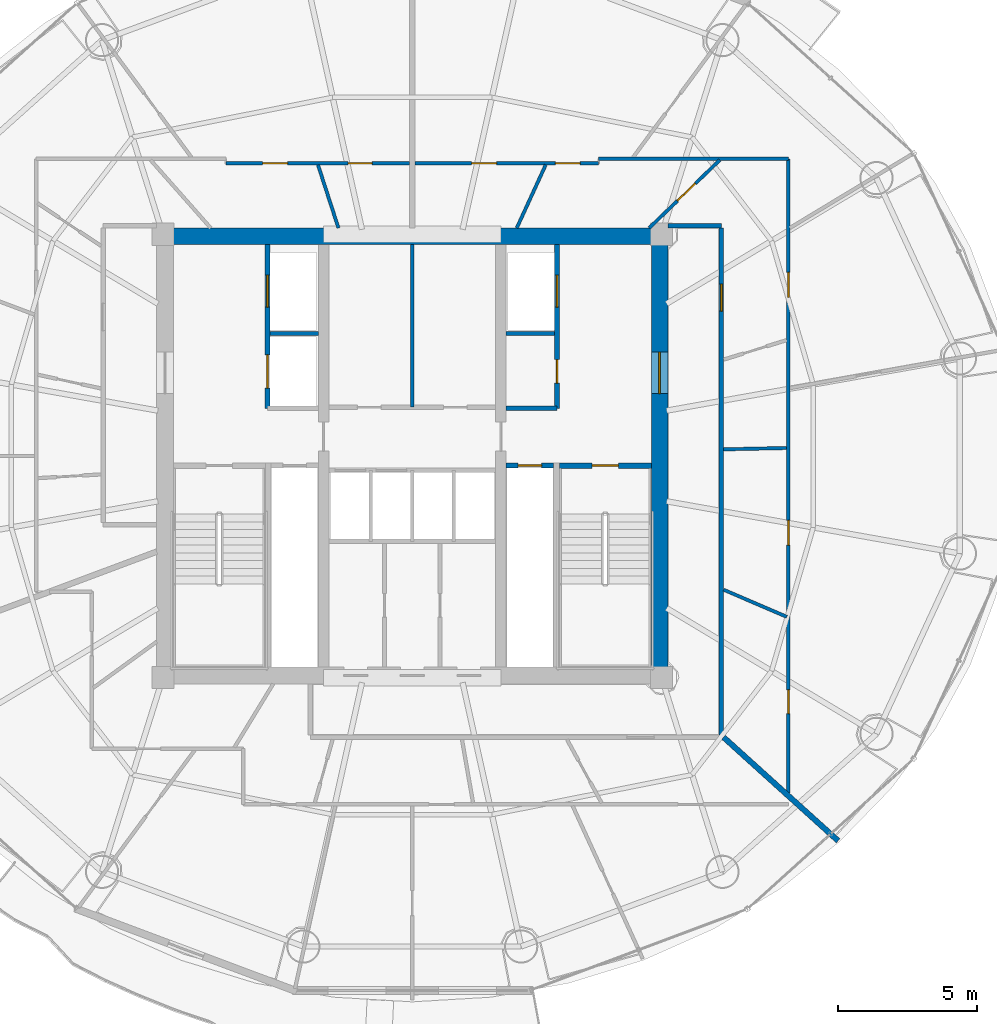
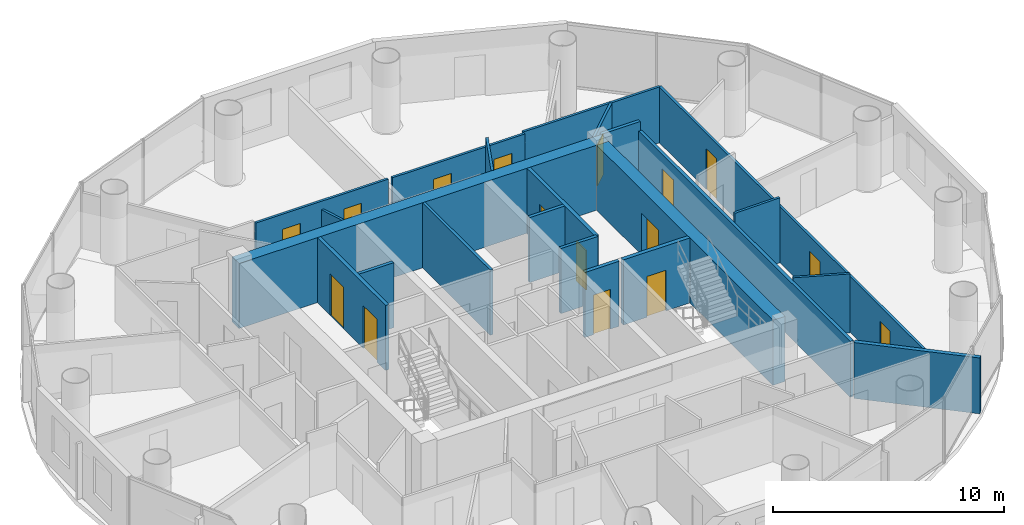
# One storey, part 22 of 26: 22 walls, 16 doors, 16 openings.
"""IFC4 building model written with IfcOpenShell, lengths in metres."""

import ifcopenshell
import ifcopenshell.guid

model = None  # the IFC model being written
_history = None  # IfcOwnerHistory: only IFC2X3 demands one
_inside = {}  # id of a spatial element -> (the spatial element, [elements in it])
_under = {}  # id of a project, library or spatial element -> (it, [spatial elements below it])
_declared = {}  # id of a project -> (the project, [libraries it declares])
_typed = {}  # id of a type object -> (the type object, [elements of that type])
_made_of = {}  # id of a material, layer set ... -> (it, [elements and type objects made of it])


def new_model(schema):
    """Start an empty IFC model of exactly this schema.

    Asked for "IFC4X3", IfcOpenShell would pick the latest addendum, in which some entities
    have other attributes; the version numbers below select the first issue.
    IFC2X3 requires an IfcOwnerHistory on every rooted entity: one is made here for all.
    """
    global model, _history
    if schema == "IFC4X3":
        model = ifcopenshell.file(schema_version=(4, 3, 0, 0))
    else:
        model = ifcopenshell.file(schema=schema)
    _inside.clear()
    _under.clear()
    _declared.clear()
    _typed.clear()
    _made_of.clear()
    _history = None
    if model.schema == "IFC2X3":
        org = make("IfcOrganization", Name="unknown")
        user = make(
            "IfcPersonAndOrganization",
            ThePerson=make("IfcPerson", FamilyName="unknown"),
            TheOrganization=org,
        )
        app = make(
            "IfcApplication",
            ApplicationDeveloper=org,
            Version="unknown",
            ApplicationFullName="unknown",
            ApplicationIdentifier="unknown",
        )
        _history = make(
            "IfcOwnerHistory",
            OwningUser=user,
            OwningApplication=app,
            ChangeAction="ADDED",
            CreationDate=0,
        )
    return model


def make(cls, **values):
    """One entity of the class cls with the attributes given. An attribute that is None is left unset."""
    return model.create_entity(
        cls, **{name: value for name, value in values.items() if value is not None}
    )


def rooted(cls, **values):
    """An entity with a GlobalId (a new one), such as an element, a storey or a relation."""
    return make(cls, GlobalId=ifcopenshell.guid.new(), OwnerHistory=_history, **values)


def si_unit(unit_type, name, prefix=None):
    """IfcSIUnit, for example si_unit("LENGTHUNIT", "METRE", prefix="MILLI")."""
    return make("IfcSIUnit", UnitType=unit_type, Prefix=prefix, Name=name)


def assignment(units):
    """IfcUnitAssignment: the units of a project."""
    return None if units is None else make("IfcUnitAssignment", Units=units)


def point(xyz):
    """IfcCartesianPoint."""
    return None if xyz is None else make("IfcCartesianPoint", Coordinates=xyz)


def direction(xyz):
    """IfcDirection."""
    return None if xyz is None else make("IfcDirection", DirectionRatios=xyz)


def frame(location, z_axis=None, x_axis=None):
    """IfcAxis2Placement3D, a coordinate frame: its origin and axes. An axis left out is left unset."""
    return make(
        "IfcAxis2Placement3D",
        Location=point(location),
        Axis=direction(z_axis),
        RefDirection=direction(x_axis),
    )


def frame_2d(location, x_axis=None):
    """IfcAxis2Placement2D, a coordinate frame in the plane: its origin and x axis."""
    return make(
        "IfcAxis2Placement2D", Location=point(location), RefDirection=direction(x_axis)
    )


def origin():
    """The frame at (0, 0, 0) with its axes left unset."""
    return frame((0.0, 0.0, 0.0))


def place(relative_to, where):
    """IfcLocalPlacement: puts the frame where relative to a parent placement (None: the world)."""
    return make(
        "IfcLocalPlacement", PlacementRelTo=relative_to, RelativePlacement=where
    )


def context(
    kind, dimensions, precision=None, world=None, true_north=None, identifier=None
):
    """IfcGeometricRepresentationContext, for example the 3D "Model" context."""
    return make(
        "IfcGeometricRepresentationContext",
        ContextIdentifier=identifier,
        ContextType=kind,
        CoordinateSpaceDimension=dimensions,
        Precision=precision,
        WorldCoordinateSystem=world,
        TrueNorth=true_north,
    )


def subcontext(parent, identifier, kind, view, scale=None):
    """IfcGeometricRepresentationSubContext, for example "Body" below "Model"."""
    return make(
        "IfcGeometricRepresentationSubContext",
        ContextIdentifier=identifier,
        ContextType=kind,
        ParentContext=parent,
        TargetScale=scale,
        TargetView=view,
    )


def project(units=None, contexts=None):
    """IfcProject with its units and contexts."""
    return rooted(
        "IfcProject",
        Name="project",
        RepresentationContexts=contexts,
        UnitsInContext=assignment(units),
    )


def spatial(cls, under=None, at=None, **own):
    """A site, building, storey or space (cls), placed at a placement, below another one or the project."""
    s = rooted(cls, ObjectPlacement=at, **own)
    if under is not None:
        _under.setdefault(under.id(), (under, []))[1].append(s)
    return s


def profile(cls, at=None, kind="AREA", **sizes):
    """A parametric profile (cls). Its sizes go by their IFC names, for example OverallWidth=200.0."""
    return make(cls, ProfileType=kind, Position=at, **sizes)


def rectangle(**sizes):
    """IfcRectangleProfileDef."""
    return profile("IfcRectangleProfileDef", **sizes)


def extrude(swept, where, along, depth):
    """IfcExtrudedAreaSolid: the profile swept, set in the frame where, extruded along a direction by depth."""
    return make(
        "IfcExtrudedAreaSolid",
        SweptArea=swept,
        Position=where,
        ExtrudedDirection=direction(along),
        Depth=depth,
    )


def shape(context_of_items, identifier, shape_type, items):
    """IfcShapeRepresentation: the items that make up one representation, for example the "Body"."""
    return make(
        "IfcShapeRepresentation",
        ContextOfItems=context_of_items,
        RepresentationIdentifier=identifier,
        RepresentationType=shape_type,
        Items=items,
    )


def source(mapping_origin, context_of_items, identifier, shape_type, items):
    """IfcRepresentationMap: a shape defined once, which mapped items show again and again."""
    return make(
        "IfcRepresentationMap",
        MappingOrigin=mapping_origin,
        MappedRepresentation=shape(context_of_items, identifier, shape_type, items),
    )


def transform(
    local_origin,
    x_axis=None,
    y_axis=None,
    z_axis=None,
    scale=None,
    scale2=None,
    scale3=None,
    uniform=True,
):
    """IfcCartesianTransformationOperator3D, or its non-uniform kind. x_axis, y_axis, z_axis: its Axis1, 2, 3."""
    if uniform:
        return make(
            "IfcCartesianTransformationOperator3D",
            Axis1=direction(x_axis),
            Axis2=direction(y_axis),
            LocalOrigin=point(local_origin),
            Scale=scale,
            Axis3=direction(z_axis),
        )
    return make(
        "IfcCartesianTransformationOperator3DnonUniform",
        Axis1=direction(x_axis),
        Axis2=direction(y_axis),
        LocalOrigin=point(local_origin),
        Scale=scale,
        Axis3=direction(z_axis),
        Scale2=scale2,
        Scale3=scale3,
    )


def mapped(mapping_source, mapping_target):
    """IfcMappedItem: shows the shape of a source again, moved by a transform."""
    return make(
        "IfcMappedItem", MappingSource=mapping_source, MappingTarget=mapping_target
    )


def material(Name=None, Category=None):
    """IfcMaterial."""
    return make("IfcMaterial", Name=Name, Category=Category)


def layer(
    of_material, thickness, ventilated=None, Name=None, Category=None, Priority=None
):
    """IfcMaterialLayer: one layer of a wall or slab, of a material (None: an air gap)."""
    return make(
        "IfcMaterialLayer",
        Material=of_material,
        LayerThickness=thickness,
        IsVentilated=ventilated,
        Name=Name,
        Category=Category,
        Priority=Priority,
    )


def layer_set(layers, Name=None):
    """IfcMaterialLayerSet."""
    return make("IfcMaterialLayerSet", MaterialLayers=layers, LayerSetName=Name)


def made_of(thing, what):
    """Note that an element or type object is made of a material, layer set ...; save() writes the relation."""
    if what is not None:
        _made_of.setdefault(what.id(), (what, []))[1].append(thing)
    return thing


def type_object(cls, material=None, **own):
    """A type object (cls), such as IfcWallType, which elements share."""
    return made_of(rooted(cls, **own), material)


def element(
    cls,
    number,
    at=None,
    inside=None,
    cuts=None,
    type_object=None,
    material=None,
    context=None,
    identifier="Body",
    shape_type=None,
    held_by="IfcProductDefinitionShape",
    body=None,
    shapes=None,
    **own,
):
    """One element of the class cls, such as IfcWall. Its Tag is "e" and its number.

    at: its placement. inside: the storey or other place that contains it. cuts: it is an
    opening in that element (IfcRelVoidsElement). A single representation is given by context,
    identifier, shape_type and body (its items); several are given by shapes. held_by: the class
    of the entity that holds the representations. save() writes the other relations.
    """
    e = rooted(cls, Tag="e%d" % number, ObjectPlacement=at, **own)
    if body is not None:
        shapes = [shape(context, identifier, shape_type, body)]
    if shapes is not None:
        e.Representation = make(held_by, Representations=shapes)
    if inside is not None:
        _inside.setdefault(inside.id(), (inside, []))[1].append(e)
    if cuts is not None:
        rooted(
            "IfcRelVoidsElement", RelatingBuildingElement=cuts, RelatedOpeningElement=e
        )
    if type_object is not None:
        _typed.setdefault(type_object.id(), (type_object, []))[1].append(e)
    return made_of(e, material)


def fill(opening, filler):
    """IfcRelFillsElement: the door or window that sits in an opening."""
    return rooted(
        "IfcRelFillsElement",
        RelatingOpeningElement=opening,
        RelatedBuildingElement=filler,
    )


def aggregate(whole, parts):
    """IfcRelAggregates: a whole, such as a stair, and the parts it consists of."""
    return rooted("IfcRelAggregates", RelatingObject=whole, RelatedObjects=parts)


def save(model, path):
    """Write the relations noted so far, then the file.

    IfcRelAggregates (storeys below a building ...), IfcRelContainedInSpatialStructure (elements
    in a storey), IfcRelDefinesByType, IfcRelAssociatesMaterial and IfcRelDeclares: one each for
    every whole, place, type object, material and project.
    """
    for whole, parts in _under.values():
        aggregate(whole, parts)
    for where, things in _inside.values():
        rooted(
            "IfcRelContainedInSpatialStructure",
            RelatedElements=things,
            RelatingStructure=where,
        )
    for kind, things in _typed.values():
        rooted("IfcRelDefinesByType", RelatedObjects=things, RelatingType=kind)
    for what, things in _made_of.values():
        rooted("IfcRelAssociatesMaterial", RelatedObjects=things, RelatingMaterial=what)
    for by, libraries in _declared.values():
        rooted("IfcRelDeclares", RelatingContext=by, RelatedDefinitions=libraries)
    model.write(path)


model = new_model("IFC4")

# Units and contexts
model_context = context("Model", 3, precision=1e-05, world=origin(), true_north=direction((-0.2419218956, 0.970295726276)))
body_context = subcontext(model_context, "Body", "Model", "MODEL_VIEW")
ifc_project = project(units=[si_unit("LENGTHUNIT", "METRE"), si_unit("AREAUNIT", "SQUARE_METRE"), si_unit("VOLUMEUNIT", "CUBIC_METRE"), si_unit("PLANEANGLEUNIT", "RADIAN"), si_unit("MASSUNIT", "GRAM", prefix="KILO")], contexts=[model_context])

# Site, building, storey
site_placement = place(None, origin())
site = spatial("IfcSite", under=ifc_project, at=site_placement, CompositionType="ELEMENT")
building_placement = place(site_placement, origin())
building = spatial("IfcBuilding", under=site, at=building_placement, Name="Cobrevalo Terracotta Tower", CompositionType="ELEMENT")
storey_placement = place(building_placement, frame((0.0, 0.0, 202.300048828125)))
storey = spatial("IfcBuildingStorey", under=building, at=storey_placement, Name="L53", CompositionType="ELEMENT", Elevation=202.300048828125)

# Wall
ifc_material_1 = material(Name="Concrete C55", Category="concrete")
ifc_layer_1 = layer(ifc_material_1, 0.60009765625)
ifc_layer_set_1 = layer_set([ifc_layer_1], Name="Concrete C55")
wall_type_1 = type_object("IfcWallType", Name="Core shear wall 600 mm Concrete C55", PredefinedType="SHEAR", material=ifc_layer_set_1)
wall_1_placement = place(storey_placement, frame((28.77490234375, 34.72509765625, 0.0), z_axis=(0.0, 0.0, 1.0), x_axis=(1.0, 0.0, 0.0)))
element("IfcWall", 1, at=wall_1_placement, inside=storey, type_object=wall_type_1, Name="L53 north core shear wall", PredefinedType="SHEAR", context=body_context, shape_type="SweptSolid", body=[
    extrude(rectangle(XDim=18.4501953125, YDim=0.60009765625, at=frame_2d((9.22509765625, 0.0))), origin(), (0.0, 0.0, 1.0), 3.43505859375),
])

# Wall, opening, door
wall_2_placement = place(storey_placement, frame((46.925048828125, 19.175048828125, 0.0), z_axis=(0.0, 0.0, 1.0), x_axis=(0.0, 1.0, 0.0)))
wall_2 = element("IfcWall", 2, at=wall_2_placement, inside=storey, type_object=wall_type_1, Name="L53 east core shear wall", PredefinedType="SHEAR", context=body_context, shape_type="SweptSolid", body=[
    extrude(rectangle(XDim=15.25, YDim=0.60009765625, at=frame_2d((7.625, 0.0))), origin(), (0.0, 0.0, 1.0), 3.43505859375),
])
opening_1_placement = place(wall_2_placement, frame((9.875, 0.0, 0.0)))
opening_1 = element("IfcOpeningElement", 3, at=opening_1_placement, cuts=wall_2, Name="Opening ID-14", PredefinedType="OPENING", context=body_context, shape_type="SweptSolid", body=[
    extrude(rectangle(XDim=1.5, YDim=2.199951171875, at=frame_2d((0.75, 1.10009765625))), frame((0.0, 0.31005859375, 0.0), z_axis=(0.0, -1.0, 0.0), x_axis=(1.0, 0.0, 0.0)), (0.0, 0.0, 1.0), 0.6201171875),
])
ifc_material_2 = material(Name="Galvanized fire-rated steel", Category="steel")
door_type_1 = type_object("IfcDoorType", Name="Core cross-lobby double fire door 1500x2200 EI 90", OperationType="NOTDEFINED", PredefinedType="DOOR", material=ifc_material_2)
shared_shape_1 = source(origin(), body_context, "Body", "SweptSolid", [
    extrude(rectangle(XDim=1.5, YDim=2.199951171875, at=frame_2d((0.75, 1.10009765625))), frame((0.0, 0.02490234375, 0.0), z_axis=(0.0, -1.0, 0.0), x_axis=(1.0, 0.0, 0.0)), (0.0, 0.0, 1.0), 0.050048828125),
])
door_1_placement = place(opening_1_placement, frame((1.5, 0.0, 0.0), z_axis=(0.0, 0.0, 1.0), x_axis=(-1.0, 0.0, 0.0)))
door_1 = element("IfcDoor", 4, at=door_1_placement, inside=storey, type_object=door_type_1, Name="L53 east firefighting lobby entrance door", OperationType="DOUBLE_DOOR_SINGLE_SWING", OverallHeight=2.199951171875, OverallWidth=1.5, PredefinedType="DOOR", context=body_context, shape_type="MappedRepresentation", body=[
    mapped(shared_shape_1, transform((0.0, 0.0, 0.0), scale=1.0)),
])
fill(opening_1, door_1)

# Walls
ifc_material_3 = material(Name="Gypsum board on steel stud", Category="steel")
ifc_layer_2 = layer(ifc_material_3, 0.159912109375)
ifc_layer_set_2 = layer_set([ifc_layer_2], Name="Gypsum board on steel stud")
wall_type_2 = type_object("IfcWallType", Name="Fire-rated corridor acoustic partition wall 160 mm", PredefinedType="PARTITIONING", material=ifc_layer_set_2)
for number, where, z_axis, x_axis, name in (
    (5, (32.860107421875, 31.219970703125, 0.0), (0.0, 0.0, 1.0), (1.0, 0.0, 0.0), "L53 interior partition IW-L53-FF1-M"),
    (6, (41.389892578125, 31.219970703125, 0.0), (0.0, 0.0, 1.0), (1.0, 0.0, 0.0), "L53 interior partition IW-L53-FF2-M"),
):
    element("IfcWall", number, at=place(storey_placement, frame(where, z_axis=z_axis, x_axis=x_axis)), inside=storey, type_object=wall_type_2, Name=name, PredefinedType="PARTITIONING", context=body_context, shape_type="SweptSolid", body=[
        extrude(rectangle(XDim=1.75, YDim=0.159912109375, at=frame_2d((0.875, 0.0))), origin(), (0.0, 0.0, 1.0), 3.43505859375),
    ])
wall_3_placement = place(storey_placement, frame((41.389892578125, 28.52001953125, 0.0), z_axis=(0.0, 0.0, 1.0), x_axis=(1.0, 0.0, 0.0)))
element("IfcWall", 7, at=wall_3_placement, inside=storey, type_object=wall_type_2, Name="L53 interior partition IW-L53-FF2-S", PredefinedType="PARTITIONING", context=body_context, shape_type="SweptSolid", body=[
    extrude(rectangle(XDim=1.840087890625, YDim=0.159912109375, at=frame_2d((0.919921875, 0.0))), origin(), (0.0, 0.0, 1.0), 3.43505859375),
])

# Wall, opening, door
wall_4_placement = place(storey_placement, frame((49.155029296875, 16.72509765625, 0.0), z_axis=(0.0, 0.0, 1.0), x_axis=(0.0, 1.0, 0.0)))
wall_4 = element("IfcWall", 8, at=wall_4_placement, inside=storey, type_object=wall_type_2, Name="L53 interior partition IW-L53-COR-E", PredefinedType="PARTITIONING", context=body_context, shape_type="SweptSolid", body=[
    extrude(rectangle(XDim=18.2998046875, YDim=0.159912109375, at=frame_2d((9.14990234375, 0.0))), origin(), (0.0, 0.0, 1.0), 2.950927734375),
])
opening_2_placement = place(wall_4_placement, frame((15.301513671875, 0.0, 0.0)))
opening_2 = element("IfcOpeningElement", 9, at=opening_2_placement, cuts=wall_4, Name="Opening ID-05", PredefinedType="OPENING", context=body_context, shape_type="SweptSolid", body=[
    extrude(rectangle(XDim=0.97998046875, YDim=2.199951171875, at=frame_2d((0.489990234375, 1.10009765625))), frame((0.0, 0.08984375, 0.0), z_axis=(0.0, -1.0, 0.0), x_axis=(1.0, 0.0, 0.0)), (0.0, 0.0, 1.0), 0.179931640625),
])
ifc_material_4 = material(Name="Solid hardwood timber", Category="wood")
door_type_2 = type_object("IfcDoorType", Name="Residence entrance fire-rated acoustic timber door 980x2200 EI 60", OperationType="NOTDEFINED", PredefinedType="DOOR", material=ifc_material_4)
shared_shape_2 = source(origin(), body_context, "Body", "SweptSolid", [
    extrude(rectangle(XDim=0.97998046875, YDim=2.199951171875, at=frame_2d((0.489990234375, 1.10009765625))), frame((0.0, 0.02490234375, 0.0), z_axis=(0.0, -1.0, 0.0), x_axis=(1.0, 0.0, 0.0)), (0.0, 0.0, 1.0), 0.050048828125),
])
door_2_placement = place(opening_2_placement, frame((0.97998046875, 0.0, 0.0), z_axis=(0.0, 0.0, 1.0), x_axis=(-1.0, 0.0, 0.0)))
door_2 = element("IfcDoor", 10, at=door_2_placement, inside=storey, type_object=door_type_2, Name="Flat L53C fire-rated apartment entrance door", OperationType="SINGLE_SWING_LEFT", OverallHeight=2.199951171875, OverallWidth=0.97998046875, PredefinedType="DOOR", context=body_context, shape_type="MappedRepresentation", body=[
    mapped(shared_shape_2, transform((0.0, 0.0, 0.0), scale=1.0)),
])
fill(opening_2, door_2)

# Wall
wall_5_placement = place(storey_placement, frame((47.22509765625, 35.10498046875, 0.0), z_axis=(0.0, 0.0, 1.0), x_axis=(1.0, 0.0, 0.0)))
element("IfcWall", 11, at=wall_5_placement, inside=storey, type_object=wall_type_2, Name="L53 interior partition IW-L53-COR-EN-CAP", PredefinedType="PARTITIONING", context=body_context, shape_type="SweptSolid", body=[
    extrude(rectangle(XDim=1.929931640625, YDim=0.159912109375, at=frame_2d((0.96484375, 0.0))), origin(), (0.0, 0.0, 1.0), 3.43505859375),
])

# Wall, opening, door
ifc_layer_3 = layer(ifc_material_3, 0.179931640625)
ifc_layer_set_3 = layer_set([ifc_layer_3], Name="Gypsum board on steel stud")
wall_type_3 = type_object("IfcWallType", Name="Fire-rated shaft & lobby acoustic partition wall 180 mm", PredefinedType="PARTITIONING", material=ifc_layer_set_3)
wall_6_placement = place(storey_placement, frame((41.389892578125, 26.449951171875, 0.0), z_axis=(0.0, 0.0, 1.0), x_axis=(1.0, 0.0, 0.0)))
wall_6 = element("IfcWall", 12, at=wall_6_placement, inside=storey, type_object=wall_type_3, Name="L53 interior partition IW-L53-RSE-N", PredefinedType="PARTITIONING", context=body_context, shape_type="SweptSolid", body=[
    extrude(rectangle(XDim=1.710205078125, YDim=0.179931640625, at=frame_2d((0.85498046875, 0.0))), origin(), (0.0, 0.0, 1.0), 3.43505859375),
])
opening_3_placement = place(wall_6_placement, frame((0.429931640625, 0.0, 0.0)))
opening_3 = element("IfcOpeningElement", 13, at=opening_3_placement, cuts=wall_6, Name="Opening ID-22", PredefinedType="OPENING", context=body_context, shape_type="SweptSolid", body=[
    extrude(rectangle(XDim=0.85009765625, YDim=2.10009765625, at=frame_2d((0.425048828125, 1.050048828125))), frame((0.0, 0.10009765625, 0.0), z_axis=(0.0, -1.0, 0.0), x_axis=(1.0, 0.0, 0.0)), (0.0, 0.0, 1.0), 0.199951171875),
])
ifc_material_5 = material(Name="Powder-coated steel", Category="steel")
door_type_3 = type_object("IfcDoorType", Name="Riser shaft & meter closet fire access door 850x2100 EI 60", OperationType="NOTDEFINED", PredefinedType="DOOR", material=ifc_material_5)
shared_shape_3 = source(origin(), body_context, "Body", "SweptSolid", [
    extrude(rectangle(XDim=0.85009765625, YDim=2.10009765625, at=frame_2d((0.425048828125, 1.050048828125))), frame((0.0, 0.02490234375, 0.0), z_axis=(0.0, -1.0, 0.0), x_axis=(1.0, 0.0, 0.0)), (0.0, 0.0, 1.0), 0.050048828125),
])
door_3_placement = place(opening_3_placement, origin())
door_3 = element("IfcDoor", 14, at=door_3_placement, inside=storey, type_object=door_type_3, Name="L53 riser access door RSE", OperationType="SINGLE_SWING_RIGHT", OverallHeight=2.10009765625, OverallWidth=0.85009765625, PredefinedType="DOOR", context=body_context, shape_type="MappedRepresentation", body=[
    mapped(shared_shape_3, transform((0.0, 0.0, 0.0), scale=1.0)),
])
fill(opening_3, door_3)

# Wall, openings, doors
wall_7_placement = place(storey_placement, frame((32.77001953125, 28.52001953125, 0.0), z_axis=(0.0, 0.0, 1.0), x_axis=(0.0, 1.0, 0.0)))
wall_7 = element("IfcWall", 15, at=wall_7_placement, inside=storey, type_object=wall_type_3, Name="L53 interior partition IW-L53-FF1-W", PredefinedType="PARTITIONING", context=body_context, shape_type="SweptSolid", body=[
    extrude(rectangle(XDim=5.905029296875, YDim=0.179931640625, at=frame_2d((2.95263671875, 0.0))), origin(), (0.0, 0.0, 1.0), 3.43505859375),
])
opening_4_placement = place(wall_7_placement, frame((3.655029296875, 0.0, 0.0)))
opening_4 = element("IfcOpeningElement", 16, at=opening_4_placement, cuts=wall_7, Name="Opening LD-02", PredefinedType="OPENING", context=body_context, shape_type="SweptSolid", body=[
    extrude(rectangle(XDim=1.14990234375, YDim=2.199951171875, at=frame_2d((0.574951171875, 1.10009765625))), frame((0.0, 0.10009765625, 0.0), z_axis=(0.0, -1.0, 0.0), x_axis=(1.0, 0.0, 0.0)), (0.0, 0.0, 1.0), 0.199951171875),
])
opening_5_placement = place(wall_7_placement, frame((0.72998046875, 0.0, 0.0)))
opening_5 = element("IfcOpeningElement", 17, at=opening_5_placement, cuts=wall_7, Name="Opening LD-03", PredefinedType="OPENING", context=body_context, shape_type="SweptSolid", body=[
    extrude(rectangle(XDim=1.199951171875, YDim=2.25, at=frame_2d((0.60009765625, 1.125))), frame((0.0, 0.10009765625, 0.0), z_axis=(0.0, -1.0, 0.0), x_axis=(1.0, 0.0, 0.0)), (0.0, 0.0, 1.0), 0.199951171875),
])
ifc_material_6 = material(Name="Brushed stainless steel", Category="steel")
door_type_4 = type_object("IfcDoorType", Name="Firefighting lift landing bi-parting sliding door 1150x2200 EI 120", OperationType="DOUBLE_DOOR_SLIDING", PredefinedType="DOOR", material=ifc_material_6)
shared_shape_4 = source(origin(), body_context, "Body", "SweptSolid", [
    extrude(rectangle(XDim=1.14990234375, YDim=2.199951171875, at=frame_2d((0.574951171875, 1.10009765625))), frame((0.0, 0.02490234375, 0.0), z_axis=(0.0, -1.0, 0.0), x_axis=(1.0, 0.0, 0.0)), (0.0, 0.0, 1.0), 0.050048828125),
])
door_4_placement = place(opening_4_placement, origin())
door_4 = element("IfcDoor", 18, at=door_4_placement, inside=storey, type_object=door_type_4, Name="L53 lift landing door FF-1", OperationType="DOUBLE_DOOR_SLIDING", OverallHeight=2.199951171875, OverallWidth=1.14990234375, PredefinedType="DOOR", context=body_context, shape_type="MappedRepresentation", body=[
    mapped(shared_shape_4, transform((0.0, 0.0, 0.0), scale=1.0)),
])
fill(opening_4, door_4)
door_type_5 = type_object("IfcDoorType", Name="Service lift landing bi-parting sliding door 1200x2250 EI 120", OperationType="DOUBLE_DOOR_SLIDING", PredefinedType="DOOR", material=ifc_material_6)
shared_shape_5 = source(origin(), body_context, "Body", "SweptSolid", [
    extrude(rectangle(XDim=1.199951171875, YDim=2.25, at=frame_2d((0.60009765625, 1.125))), frame((0.0, 0.02490234375, 0.0), z_axis=(0.0, -1.0, 0.0), x_axis=(1.0, 0.0, 0.0)), (0.0, 0.0, 1.0), 0.050048828125),
])
door_5_placement = place(opening_5_placement, origin())
door_5 = element("IfcDoor", 19, at=door_5_placement, inside=storey, type_object=door_type_5, Name="L53 lift landing door SV-1", OperationType="DOUBLE_DOOR_SLIDING", OverallHeight=2.25, OverallWidth=1.199951171875, PredefinedType="DOOR", context=body_context, shape_type="MappedRepresentation", body=[
    mapped(shared_shape_5, transform((0.0, 0.0, 0.0), scale=1.0)),
])
fill(opening_5, door_5)

wall_8_placement = place(storey_placement, frame((43.22998046875, 28.52001953125, 0.0), z_axis=(0.0, 0.0, 1.0), x_axis=(0.0, 1.0, 0.0)))
wall_8 = element("IfcWall", 20, at=wall_8_placement, inside=storey, type_object=wall_type_3, Name="L53 interior partition IW-L53-FF2-E", PredefinedType="PARTITIONING", context=body_context, shape_type="SweptSolid", body=[
    extrude(rectangle(XDim=5.905029296875, YDim=0.179931640625, at=frame_2d((2.95263671875, 0.0))), origin(), (0.0, 0.0, 1.0), 3.43505859375),
])
opening_6_placement = place(wall_8_placement, frame((0.905029296875, 0.0, 0.0)))
opening_6 = element("IfcOpeningElement", 21, at=opening_6_placement, cuts=wall_8, Name="Opening ID-22", PredefinedType="OPENING", context=body_context, shape_type="SweptSolid", body=[
    extrude(rectangle(XDim=0.85009765625, YDim=2.10009765625, at=frame_2d((0.425048828125, 1.050048828125))), frame((0.0, 0.10009765625, 0.0), z_axis=(0.0, -1.0, 0.0), x_axis=(1.0, 0.0, 0.0)), (0.0, 0.0, 1.0), 0.199951171875),
])
opening_7_placement = place(wall_8_placement, frame((3.655029296875, 0.0, 0.0)))
opening_7 = element("IfcOpeningElement", 22, at=opening_7_placement, cuts=wall_8, Name="Opening LD-02", PredefinedType="OPENING", context=body_context, shape_type="SweptSolid", body=[
    extrude(rectangle(XDim=1.14990234375, YDim=2.199951171875, at=frame_2d((0.574951171875, 1.10009765625))), frame((0.0, 0.10009765625, 0.0), z_axis=(0.0, -1.0, 0.0), x_axis=(1.0, 0.0, 0.0)), (0.0, 0.0, 1.0), 0.199951171875),
])
door_6_placement = place(opening_6_placement, frame((0.85009765625, 0.0, 0.0), z_axis=(0.0, 0.0, 1.0), x_axis=(-1.0, 0.0, 0.0)))
door_6 = element("IfcDoor", 23, at=door_6_placement, inside=storey, type_object=door_type_3, Name="L53 housekeeping store door", OperationType="SINGLE_SWING_RIGHT", OverallHeight=2.10009765625, OverallWidth=0.85009765625, PredefinedType="DOOR", context=body_context, shape_type="MappedRepresentation", body=[
    mapped(shared_shape_3, transform((0.0, 0.0, 0.0), scale=1.0)),
])
fill(opening_6, door_6)
door_7_placement = place(opening_7_placement, origin())
door_7 = element("IfcDoor", 24, at=door_7_placement, inside=storey, type_object=door_type_4, Name="L53 lift landing door FF-2", OperationType="DOUBLE_DOOR_SLIDING", OverallHeight=2.199951171875, OverallWidth=1.14990234375, PredefinedType="DOOR", context=body_context, shape_type="MappedRepresentation", body=[
    mapped(shared_shape_4, transform((0.0, 0.0, 0.0), scale=1.0)),
])
fill(opening_7, door_7)

# Walls
ifc_material_7 = material(Name="Autoclaved aerated concrete block", Category="concrete")
ifc_layer_4 = layer(ifc_material_7, 0.199951171875)
ifc_layer_set_4 = layer_set([ifc_layer_4], Name="Autoclaved aerated concrete block")
wall_type_4 = type_object("IfcWallType", Name="Fire-rated stair, shaft & demising masonry wall 200 mm", PredefinedType="PARTITIONING", material=ifc_layer_set_4)
wall_9_placement = place(storey_placement, frame((49.235107421875, 16.647216796875, 0.0), z_axis=(0.0, 0.0, 1.0), x_axis=(0.741935290449, -0.670471494387, 0.0)))
element("IfcWall", 25, at=wall_9_placement, inside=storey, type_object=wall_type_4, Name="L53 interior partition IW-L53-DEM-3", PredefinedType="PARTITIONING", context=body_context, shape_type="SweptSolid", body=[
    extrude(rectangle(XDim=5.572021484375, YDim=0.199951171875, at=frame_2d((2.7861328125, 0.0))), origin(), (0.0, 0.0, 1.0), 2.950927734375),
])
ifc_layer_5 = layer(ifc_material_7, 0.139892578125)
ifc_layer_set_5 = layer_set([ifc_layer_5], Name="Autoclaved aerated concrete block")
wall_type_5 = type_object("IfcWallType", Name="Moisture-resistant wet-room & core service partition 140 mm", PredefinedType="PARTITIONING", material=ifc_layer_set_5)
wall_10_placement = place(storey_placement, frame((38.0, 28.56005859375, 0.0), z_axis=(0.0, 0.0, 1.0), x_axis=(0.0, 1.0, 0.0)))
element("IfcWall", 26, at=wall_10_placement, inside=storey, type_object=wall_type_5, Name="L53 interior partition IW-L53-KVN-1", PredefinedType="PARTITIONING", context=body_context, shape_type="SweptSolid", body=[
    extrude(rectangle(XDim=5.864990234375, YDim=0.139892578125, at=frame_2d((2.9326171875, 0.0))), origin(), (0.0, 0.0, 1.0), 3.43505859375),
])

# Wall, openings, doors
ifc_layer_6 = layer(ifc_material_3, 0.1201171875)
ifc_layer_set_6 = layer_set([ifc_layer_6], Name="Gypsum board on steel stud")
wall_type_6 = type_object("IfcWallType", Name="Residential internal acoustic stud partition 120 mm", PredefinedType="PARTITIONING", material=ifc_layer_set_6)
wall_11_placement = place(storey_placement, frame((31.27490234375, 37.364990234375, 0.0), z_axis=(0.0, 0.0, 1.0), x_axis=(1.0, 0.0, 0.0)))
wall_11 = element("IfcWall", 27, at=wall_11_placement, inside=storey, type_object=wall_type_6, Name="L53 interior partition IW-L53-U1-RING4_0", PredefinedType="PARTITIONING", context=body_context, shape_type="SweptSolid", body=[
    extrude(rectangle(XDim=6.623046875, YDim=0.1201171875, at=frame_2d((3.3115234375, 0.0))), origin(), (0.0, 0.0, 1.0), 2.950927734375),
])
opening_8_placement = place(wall_11_placement, frame((4.413330078125, 0.0, 0.0)))
opening_8 = element("IfcOpeningElement", 28, at=opening_8_placement, cuts=wall_11, Name="Opening ID-19", PredefinedType="OPENING", context=body_context, shape_type="SweptSolid", body=[
    extrude(rectangle(XDim=0.860107421875, YDim=2.14990234375, at=frame_2d((0.43017578125, 1.074951171875))), frame((0.0, 0.070068359375, 0.0), z_axis=(0.0, -1.0, 0.0), x_axis=(1.0, 0.0, 0.0)), (0.0, 0.0, 1.0), 0.14013671875),
])
opening_9_placement = place(wall_11_placement, frame((1.327880859375, 0.0, 0.0)))
opening_9 = element("IfcOpeningElement", 29, at=opening_9_placement, cuts=wall_11, Name="Opening ID-12", PredefinedType="OPENING", context=body_context, shape_type="SweptSolid", body=[
    extrude(rectangle(XDim=0.89990234375, YDim=2.14990234375, at=frame_2d((0.449951171875, 1.074951171875))), frame((0.0, 0.070068359375, 0.0), z_axis=(0.0, -1.0, 0.0), x_axis=(1.0, 0.0, 0.0)), (0.0, 0.0, 1.0), 0.14013671875),
])
ifc_material_8 = material(Name="Moisture-sealed timber", Category="wood")
door_type_6 = type_object("IfcDoorType", Name="Suite bathroom internal timber door 860x2150", OperationType="NOTDEFINED", PredefinedType="DOOR", material=ifc_material_8)
shared_shape_6 = source(origin(), body_context, "Body", "SweptSolid", [
    extrude(rectangle(XDim=0.860107421875, YDim=2.14990234375, at=frame_2d((0.43017578125, 1.074951171875))), frame((0.0, 0.02490234375, 0.0), z_axis=(0.0, -1.0, 0.0), x_axis=(1.0, 0.0, 0.0)), (0.0, 0.0, 1.0), 0.050048828125),
])
door_8_placement = place(opening_8_placement, frame((0.860107421875, 0.0, 0.0), z_axis=(0.0, 0.0, 1.0), x_axis=(-1.0, 0.0, 0.0)))
door_8 = element("IfcDoor", 30, at=door_8_placement, inside=storey, type_object=door_type_6, Name="Flat L53A Guest Bathroom internal door", OperationType="SINGLE_SWING_RIGHT", OverallHeight=2.14990234375, OverallWidth=0.860107421875, PredefinedType="DOOR", context=body_context, shape_type="MappedRepresentation", body=[
    mapped(shared_shape_6, transform((0.0, 0.0, 0.0), scale=1.0)),
])
fill(opening_8, door_8)
ifc_material_9 = material(Name="Engineered timber", Category="wood")
door_type_7 = type_object("IfcDoorType", Name="Internal residence & suite timber door 900x2150", OperationType="NOTDEFINED", PredefinedType="DOOR", material=ifc_material_9)
shared_shape_7 = source(origin(), body_context, "Body", "SweptSolid", [
    extrude(rectangle(XDim=0.89990234375, YDim=2.14990234375, at=frame_2d((0.449951171875, 1.074951171875))), frame((0.0, 0.02490234375, 0.0), z_axis=(0.0, -1.0, 0.0), x_axis=(1.0, 0.0, 0.0)), (0.0, 0.0, 1.0), 0.050048828125),
])
door_9_placement = place(opening_9_placement, frame((0.89990234375, 0.0, 0.0), z_axis=(0.0, 0.0, 1.0), x_axis=(-1.0, 0.0, 0.0)))
door_9 = element("IfcDoor", 31, at=door_9_placement, inside=storey, type_object=door_type_7, Name="Flat L53A Home Office Study internal door", OperationType="SINGLE_SWING_LEFT", OverallHeight=2.14990234375, OverallWidth=0.89990234375, PredefinedType="DOOR", context=body_context, shape_type="MappedRepresentation", body=[
    mapped(shared_shape_7, transform((0.0, 0.0, 0.0), scale=1.0)),
])
fill(opening_9, door_9)

# Wall
wall_12_placement = place(storey_placement, frame((35.335693359375, 35.02685546875, 0.0), z_axis=(0.0, 0.0, 1.0), x_axis=(-0.308083476138, 0.951359328398, 0.0)))
element("IfcWall", 32, at=wall_12_placement, inside=storey, type_object=wall_type_6, Name="L53 interior partition IW-L53-U1-IRAD1", PredefinedType="PARTITIONING", context=body_context, shape_type="SweptSolid", body=[
    extrude(rectangle(XDim=2.3955078125, YDim=0.1201171875, at=frame_2d((1.19775390625, 0.0))), origin(), (0.0, 0.0, 1.0), 2.52001953125),
])

# Wall, openings, doors
wall_13_placement = place(storey_placement, frame((38.10205078125, 37.364990234375, 0.0), z_axis=(0.0, 0.0, 1.0), x_axis=(1.0, 0.0, 0.0)))
wall_13 = element("IfcWall", 33, at=wall_13_placement, inside=storey, type_object=wall_type_6, Name="L53 interior partition IW-L53-U3-RING0_0", PredefinedType="PARTITIONING", context=body_context, shape_type="SweptSolid", body=[
    extrude(rectangle(XDim=6.623046875, YDim=0.1201171875, at=frame_2d((3.3115234375, 0.0))), origin(), (0.0, 0.0, 1.0), 2.950927734375),
])
opening_10_placement = place(wall_13_placement, frame((5.059814453125, 0.0, 0.0)))
opening_10 = element("IfcOpeningElement", 34, at=opening_10_placement, cuts=wall_13, Name="Opening ID-12", PredefinedType="OPENING", context=body_context, shape_type="SweptSolid", body=[
    extrude(rectangle(XDim=0.89990234375, YDim=2.14990234375, at=frame_2d((0.449951171875, 1.074951171875))), frame((0.0, 0.070068359375, 0.0), z_axis=(0.0, -1.0, 0.0), x_axis=(1.0, 0.0, 0.0)), (0.0, 0.0, 1.0), 0.14013671875),
])
opening_11_placement = place(wall_13_placement, frame((2.040283203125, 0.0, 0.0)))
opening_11 = element("IfcOpeningElement", 35, at=opening_11_placement, cuts=wall_13, Name="Opening ID-12", PredefinedType="OPENING", context=body_context, shape_type="SweptSolid", body=[
    extrude(rectangle(XDim=0.89990234375, YDim=2.14990234375, at=frame_2d((0.449951171875, 1.074951171875))), frame((0.0, 0.070068359375, 0.0), z_axis=(0.0, -1.0, 0.0), x_axis=(1.0, 0.0, 0.0)), (0.0, 0.0, 1.0), 0.14013671875),
])
door_10_placement = place(opening_10_placement, origin())
door_10 = element("IfcDoor", 36, at=door_10_placement, inside=storey, type_object=door_type_7, Name="Flat L53C Penthouse Family Lounge internal door", OperationType="SINGLE_SWING_RIGHT", OverallHeight=2.14990234375, OverallWidth=0.89990234375, PredefinedType="DOOR", context=body_context, shape_type="MappedRepresentation", body=[
    mapped(shared_shape_7, transform((0.0, 0.0, 0.0), scale=1.0)),
])
fill(opening_10, door_10)
door_11_placement = place(opening_11_placement, frame((0.89990234375, 0.0, 0.0), z_axis=(0.0, 0.0, 1.0), x_axis=(-1.0, 0.0, 0.0)))
door_11 = element("IfcDoor", 37, at=door_11_placement, inside=storey, type_object=door_type_7, Name="Flat L53C Utility Closet internal door", OperationType="SINGLE_SWING_LEFT", OverallHeight=2.14990234375, OverallWidth=0.89990234375, PredefinedType="DOOR", context=body_context, shape_type="MappedRepresentation", body=[
    mapped(shared_shape_7, transform((0.0, 0.0, 0.0), scale=1.0)),
])
fill(opening_11, door_11)

# Wall
wall_14_placement = place(storey_placement, frame((44.72509765625, 37.52490234375, 0.0), z_axis=(0.0, 0.0, 1.0), x_axis=(1.0, 0.0, 0.0)))
element("IfcWall", 38, at=wall_14_placement, inside=storey, type_object=wall_type_6, Name="L53 interior partition IW-L53-U3-RING2_0", PredefinedType="PARTITIONING", context=body_context, shape_type="SweptSolid", body=[
    extrude(rectangle(XDim=6.849853515625, YDim=0.1201171875, at=frame_2d((3.4248046875, 0.0))), origin(), (0.0, 0.0, 1.0), 2.950927734375),
])

# Wall, openings, doors
wall_15_placement = place(storey_placement, frame((51.574951171875, 37.52490234375, 0.0), z_axis=(0.0, 0.0, 1.0), x_axis=(0.0, -1.0, 0.0)))
wall_15 = element("IfcWall", 39, at=wall_15_placement, inside=storey, type_object=wall_type_6, Name="L53 interior partition IW-L53-U3-RING3_0", PredefinedType="PARTITIONING", context=body_context, shape_type="SweptSolid", body=[
    extrude(rectangle(XDim=22.89013671875, YDim=0.1201171875, at=frame_2d((11.445068359375, 0.0))), origin(), (0.0, 0.0, 1.0), 2.950927734375),
])
opening_12_placement = place(wall_15_placement, frame((4.10205078125, 0.0, 0.0)))
opening_12 = element("IfcOpeningElement", 40, at=opening_12_placement, cuts=wall_15, Name="Opening ID-12", PredefinedType="OPENING", context=body_context, shape_type="SweptSolid", body=[
    extrude(rectangle(XDim=0.89990234375, YDim=2.14990234375, at=frame_2d((0.449951171875, 1.074951171875))), frame((0.0, 0.070068359375, 0.0), z_axis=(0.0, -1.0, 0.0), x_axis=(1.0, 0.0, 0.0)), (0.0, 0.0, 1.0), 0.14013671875),
])
opening_13_placement = place(wall_15_placement, frame((19.162841796875, 0.0, 0.0)))
opening_13 = element("IfcOpeningElement", 41, at=opening_13_placement, cuts=wall_15, Name="Opening ID-19", PredefinedType="OPENING", context=body_context, shape_type="SweptSolid", body=[
    extrude(rectangle(XDim=0.860107421875, YDim=2.14990234375, at=frame_2d((0.43017578125, 1.074951171875))), frame((0.0, 0.070068359375, 0.0), z_axis=(0.0, -1.0, 0.0), x_axis=(1.0, 0.0, 0.0)), (0.0, 0.0, 1.0), 0.14013671875),
])
opening_14_placement = place(wall_15_placement, frame((13.04638671875, 0.0, 0.0)))
opening_14 = element("IfcOpeningElement", 42, at=opening_14_placement, cuts=wall_15, Name="Opening ID-12", PredefinedType="OPENING", context=body_context, shape_type="SweptSolid", body=[
    extrude(rectangle(XDim=0.89990234375, YDim=2.14990234375, at=frame_2d((0.449951171875, 1.074951171875))), frame((0.0, 0.070068359375, 0.0), z_axis=(0.0, -1.0, 0.0), x_axis=(1.0, 0.0, 0.0)), (0.0, 0.0, 1.0), 0.14013671875),
])
door_12_placement = place(opening_13_placement, frame((0.860107421875, 0.0, 0.0), z_axis=(0.0, 0.0, 1.0), x_axis=(-1.0, 0.0, 0.0)))
door_12 = element("IfcDoor", 43, at=door_12_placement, inside=storey, type_object=door_type_6, Name="Flat L53C Guest Bathroom internal door", OperationType="SINGLE_SWING_LEFT", OverallHeight=2.14990234375, OverallWidth=0.860107421875, PredefinedType="DOOR", context=body_context, shape_type="MappedRepresentation", body=[
    mapped(shared_shape_6, transform((0.0, 0.0, 0.0), scale=1.0)),
])
fill(opening_13, door_12)
door_13_placement = place(opening_12_placement, origin())
door_13 = element("IfcDoor", 44, at=door_13_placement, inside=storey, type_object=door_type_7, Name="Flat L53C Master Bedroom internal door", OperationType="SINGLE_SWING_RIGHT", OverallHeight=2.14990234375, OverallWidth=0.89990234375, PredefinedType="DOOR", context=body_context, shape_type="MappedRepresentation", body=[
    mapped(shared_shape_7, transform((0.0, 0.0, 0.0), scale=1.0)),
])
fill(opening_12, door_13)
door_14_placement = place(opening_14_placement, frame((0.89990234375, 0.0, 0.0), z_axis=(0.0, 0.0, 1.0), x_axis=(-1.0, 0.0, 0.0)))
door_14 = element("IfcDoor", 45, at=door_14_placement, inside=storey, type_object=door_type_7, Name="Flat L53C Home Office Study internal door", OperationType="SINGLE_SWING_RIGHT", OverallHeight=2.14990234375, OverallWidth=0.89990234375, PredefinedType="DOOR", context=body_context, shape_type="MappedRepresentation", body=[
    mapped(shared_shape_7, transform((0.0, 0.0, 0.0), scale=1.0)),
])
fill(opening_14, door_14)

# Walls
wall_16_placement = place(storey_placement, frame((49.23681640625, 21.972900390625, 0.0), z_axis=(0.0, 0.0, 1.0), x_axis=(0.91880901308, -0.394702416364, 0.0)))
element("IfcWall", 46, at=wall_16_placement, inside=storey, type_object=wall_type_6, Name="L53 interior partition IW-L53-U3-IRAD1", PredefinedType="PARTITIONING", context=body_context, shape_type="SweptSolid", body=[
    extrude(rectangle(XDim=2.48291015625, YDim=0.1201171875, at=frame_2d((1.241455078125, 0.0))), origin(), (0.0, 0.0, 1.0), 3.10986328125),
])
wall_17_placement = place(storey_placement, frame((49.237060546875, 27.039306640625, 0.0), z_axis=(0.0, 0.0, 1.0), x_axis=(0.999772223164, 0.021342487922, 0.0)))
element("IfcWall", 47, at=wall_17_placement, inside=storey, type_object=wall_type_6, Name="L53 interior partition IW-L53-U3-IRAD2", PredefinedType="PARTITIONING", context=body_context, shape_type="SweptSolid", body=[
    extrude(rectangle(XDim=2.2763671875, YDim=0.1201171875, at=frame_2d((1.13818359375, 0.0))), origin(), (0.0, 0.0, 1.0), 3.43505859375),
])

# Wall, opening, door
wall_18_placement = place(storey_placement, frame((46.548583984375, 35.0263671875, 0.0), z_axis=(0.0, 0.0, 1.0), x_axis=(0.720557461206, 0.693395230082, 0.0)))
wall_18 = element("IfcWall", 48, at=wall_18_placement, inside=storey, type_object=wall_type_6, Name="L53 interior partition IW-L53-U3-IRAD4", PredefinedType="PARTITIONING", context=body_context, shape_type="SweptSolid", body=[
    extrude(rectangle(XDim=3.541259765625, YDim=0.1201171875, at=frame_2d((1.7705078125, 0.0))), origin(), (0.0, 0.0, 1.0), 2.950927734375),
])
opening_15_placement = place(wall_18_placement, frame((1.418701171875, 0.0, 0.0)))
opening_15 = element("IfcOpeningElement", 49, at=opening_15_placement, cuts=wall_18, Name="Opening ID-12", PredefinedType="OPENING", context=body_context, shape_type="SweptSolid", body=[
    extrude(rectangle(XDim=0.89990234375, YDim=2.14990234375, at=frame_2d((0.449951171875, 1.074951171875))), frame((0.0, 0.070068359375, 0.0), z_axis=(0.0, -1.0, 0.0), x_axis=(1.0, 0.0, 0.0)), (0.0, 0.0, 1.0), 0.14013671875),
])
door_15_placement = place(opening_15_placement, origin())
door_15 = element("IfcDoor", 50, at=door_15_placement, inside=storey, type_object=door_type_7, Name="Flat L53C Kitchen internal door", OperationType="SINGLE_SWING_LEFT", OverallHeight=2.14990234375, OverallWidth=0.89990234375, PredefinedType="DOOR", context=body_context, shape_type="MappedRepresentation", body=[
    mapped(shared_shape_7, transform((0.0, 0.0, 0.0), scale=1.0)),
])
fill(opening_15, door_15)

# Wall
wall_19_placement = place(storey_placement, frame((41.77099609375, 35.02685546875, 0.0), z_axis=(0.0, 0.0, 1.0), x_axis=(0.416688202143, 0.909049471808, 0.0)))
element("IfcWall", 51, at=wall_19_placement, inside=storey, type_object=wall_type_6, Name="L53 interior partition IW-L53-U3-IRAD5", PredefinedType="PARTITIONING", context=body_context, shape_type="SweptSolid", body=[
    extrude(rectangle(XDim=2.510009765625, YDim=0.1201171875, at=frame_2d((1.2548828125, 0.0))), origin(), (0.0, 0.0, 1.0), 3.43505859375),
])

# Wall, opening, door
ifc_material_10 = material(Name="Concrete C50", Category="concrete")
ifc_layer_7 = layer(ifc_material_10, 0.199951171875)
ifc_layer_set_7 = layer_set([ifc_layer_7], Name="Concrete C50")
wall_type_7 = type_object("IfcWallType", Name="Structural core & podium stair-shaft RC wall 200 mm Concrete C50", PredefinedType="SOLIDWALL", material=ifc_layer_set_7)
wall_20_placement = place(storey_placement, frame((43.304931640625, 26.449951171875, 0.0), z_axis=(0.0, 0.0, 1.0), x_axis=(1.0, 0.0, 0.0)))
wall_20 = element("IfcWall", 52, at=wall_20_placement, inside=storey, type_object=wall_type_7, Name="L53 ST-2 north structural shaft wall", PredefinedType="SOLIDWALL", context=body_context, shape_type="SweptSolid", body=[
    extrude(rectangle(XDim=3.320068359375, YDim=0.199951171875, at=frame_2d((1.66015625, 0.0))), origin(), (0.0, 0.0, 1.0), 3.43505859375),
])
opening_16_placement = place(wall_20_placement, frame((1.18505859375, 0.0, 0.0)))
opening_16 = element("IfcOpeningElement", 53, at=opening_16_placement, cuts=wall_20, Name="Opening ID-04", PredefinedType="OPENING", context=body_context, shape_type="SweptSolid", body=[
    extrude(rectangle(XDim=0.949951171875, YDim=2.14990234375, at=frame_2d((0.47509765625, 1.074951171875))), frame((0.0, 0.10986328125, 0.0), z_axis=(0.0, -1.0, 0.0), x_axis=(1.0, 0.0, 0.0)), (0.0, 0.0, 1.0), 0.219970703125),
])
door_type_8 = type_object("IfcDoorType", Name="Stair & firefighting lobby fire door 950x2150 EI 90", OperationType="NOTDEFINED", PredefinedType="DOOR", material=ifc_material_2)
shared_shape_8 = source(origin(), body_context, "Body", "SweptSolid", [
    extrude(rectangle(XDim=0.949951171875, YDim=2.14990234375, at=frame_2d((0.47509765625, 1.074951171875))), frame((0.0, 0.02490234375, 0.0), z_axis=(0.0, -1.0, 0.0), x_axis=(1.0, 0.0, 0.0)), (0.0, 0.0, 1.0), 0.050048828125),
])
door_16_placement = place(opening_16_placement, frame((0.949951171875, 0.0, 0.0), z_axis=(0.0, 0.0, 1.0), x_axis=(-1.0, 0.0, 0.0)))
door_16 = element("IfcDoor", 54, at=door_16_placement, inside=storey, type_object=door_type_8, Name="L53 protected stair ST2 fire door", OperationType="SINGLE_SWING_RIGHT", OverallHeight=2.14990234375, OverallWidth=0.949951171875, PredefinedType="DOOR", context=body_context, shape_type="MappedRepresentation", body=[
    mapped(shared_shape_8, transform((0.0, 0.0, 0.0), scale=1.0)),
])
fill(opening_16, door_16)

save(model, "model.ifc")
